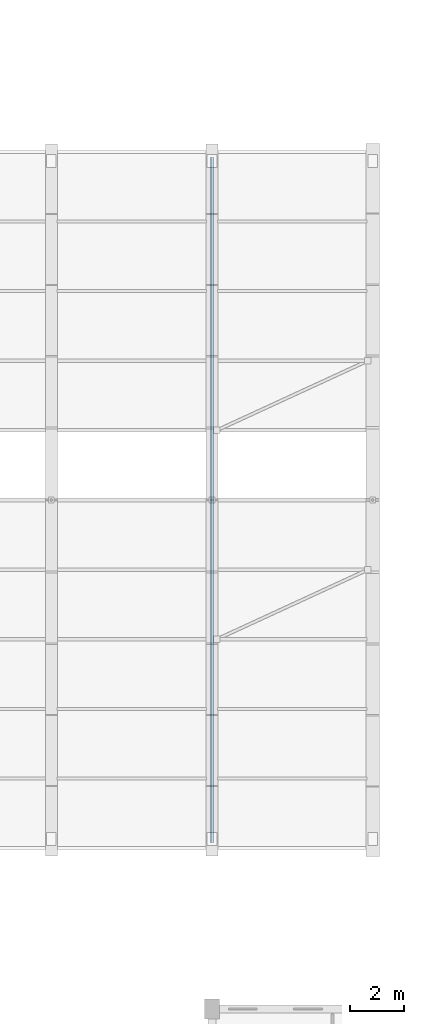
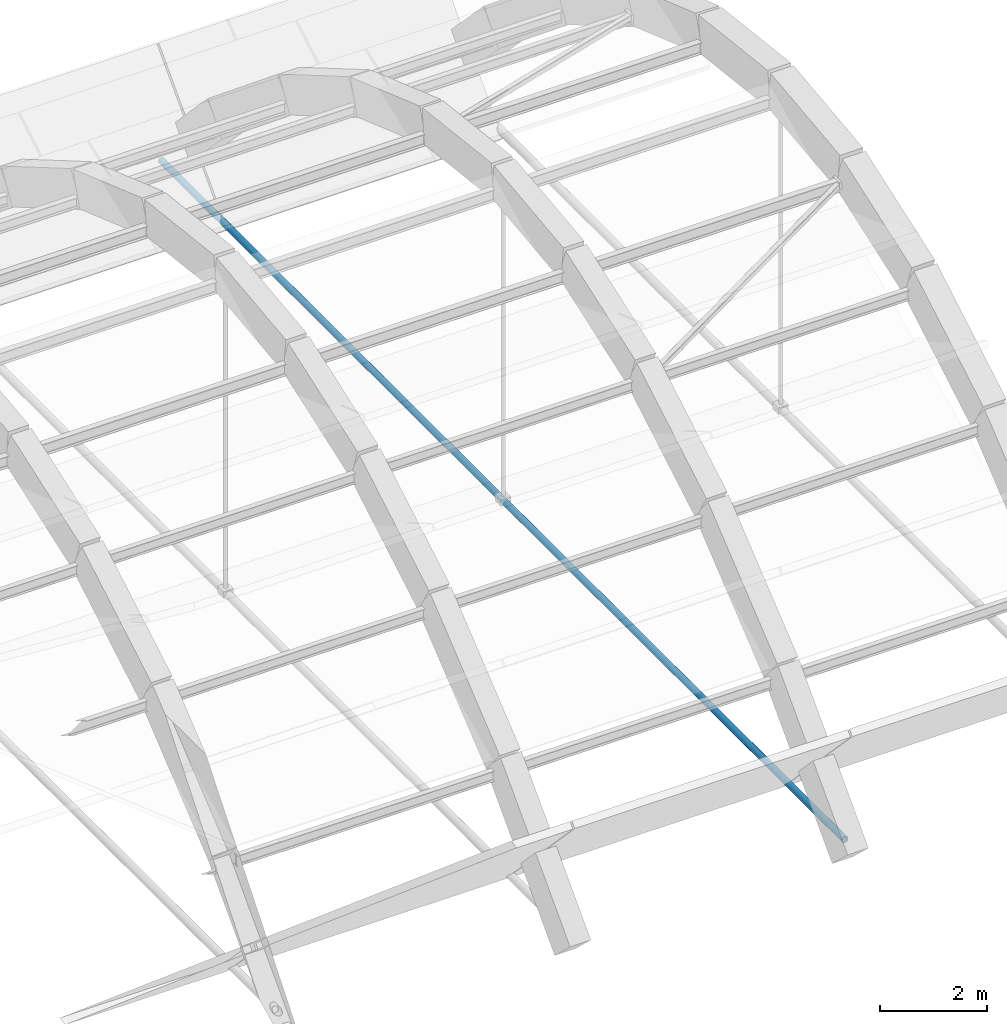
# One storey, part 33 of 123: 1 member.
"""IFC4 building model written with IfcOpenShell, lengths in metres."""

from ifc_helpers import new_model, si_unit, direction, frame, origin, origin_2d, place, context, subcontext, project, spatial, hollow_circle, extrude, material, material_profile, profile_set, type_object, element, save


model = new_model("IFC4")

# Units and contexts
model_context = context("Model", 3, precision=1e-05, world=origin(), true_north=direction((0.0, 1.0)))
body_context = subcontext(model_context, "Body", "Model", "MODEL_VIEW")
ifc_project = project(units=[si_unit("LENGTHUNIT", "METRE"), si_unit("AREAUNIT", "SQUARE_METRE"), si_unit("VOLUMEUNIT", "CUBIC_METRE"), si_unit("PLANEANGLEUNIT", "RADIAN"), si_unit("MASSUNIT", "GRAM", prefix="KILO"), si_unit("POWERUNIT", "WATT"), si_unit("THERMODYNAMICTEMPERATUREUNIT", "KELVIN")], contexts=[model_context])

# Site, building, storey
site_placement = place(None, origin())
site = spatial("IfcSite", under=ifc_project, at=site_placement, CompositionType="ELEMENT")
building_placement = place(site_placement, origin())
building = spatial("IfcBuilding", under=site, at=building_placement, Name="Ruvembo Vaulted Housing Court", CompositionType="ELEMENT")
storey_placement = place(building_placement, frame((0.0, 0.0, 7.699951171875)))
storey = spatial("IfcBuildingStorey", under=building, at=storey_placement, Name="L02", CompositionType="ELEMENT", Elevation=7.699951171875)

# Member
ifc_material = material(Name="Steel S355J2", Category="steel")
ifc_material_profile = material_profile(ifc_material, hollow_circle(Radius=0.06982421875, WallThickness=0.008056640625, at=origin_2d()), Name="CHS 139.7x8")
ifc_profile_set = profile_set([ifc_material_profile], Name="Steel S355J2")
member_type = type_object("IfcMemberType", Name="MEM-TIE-CHS139", PredefinedType="USERDEFINED", material=ifc_profile_set)
member_placement = place(storey_placement, frame((102.0, 42.199951171875, -1.25), z_axis=(0.0, 1.0, 0.0), x_axis=(-1.0, 0.0, 0.0)))
element("IfcMember", 1, at=member_placement, inside=storey, type_object=member_type, Name="Vault Springing Steel Tension Tie VT-07", ObjectType="TIE_ROD", PredefinedType="USERDEFINED", context=body_context, shape_type="SweptSolid", body=[
    extrude(hollow_circle(Radius=0.06982421875, WallThickness=0.008056640625, at=origin_2d()), origin(), (0.0, 0.0, 1.0), 25.60009765625),
])

save(model, "model.ifc")
